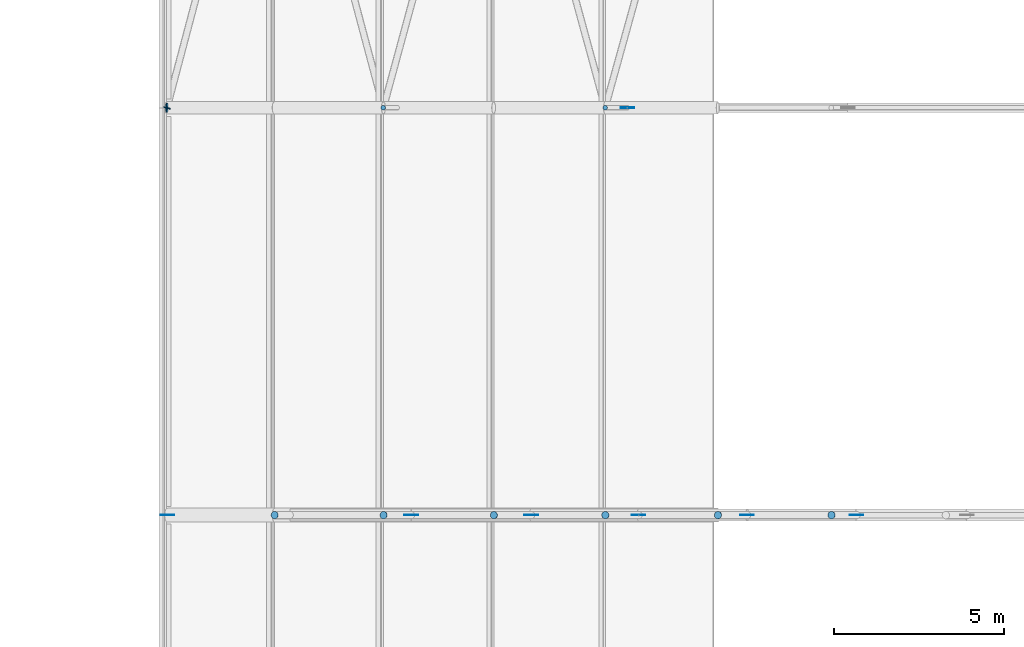
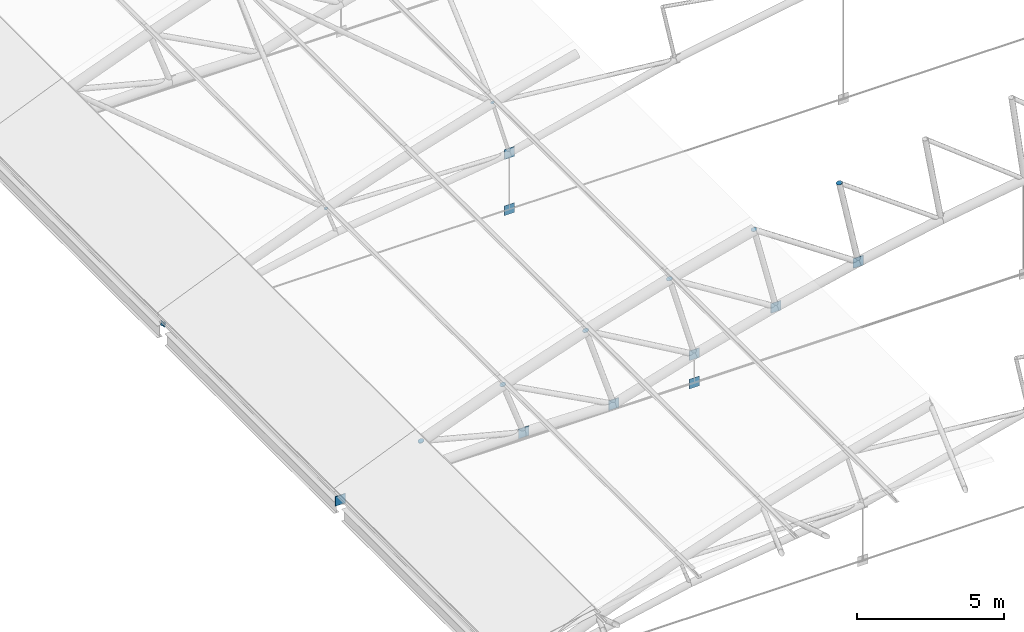
# One storey, part 265 of 321: 19 discrete accessories.
"""IFC4 building model written with IfcOpenShell, lengths in metres."""

from ifc_helpers import new_model, si_unit, direction, frame, origin, origin_2d, place, context, subcontext, project, spatial, rectangle, circle, extrude, material, material_profile, profile_set, type_object, element, save


model = new_model("IFC4")

# Units and contexts
model_context = context("Model", 3, precision=1e-05, world=origin(), true_north=direction((0.0, 1.0)))
body_context = subcontext(model_context, "Body", "Model", "MODEL_VIEW")
ifc_project = project(units=[si_unit("LENGTHUNIT", "METRE"), si_unit("AREAUNIT", "SQUARE_METRE"), si_unit("VOLUMEUNIT", "CUBIC_METRE"), si_unit("PLANEANGLEUNIT", "RADIAN"), si_unit("MASSUNIT", "GRAM", prefix="KILO")], contexts=[model_context])

# Site, building, storey
site_placement = place(None, origin())
site = spatial("IfcSite", under=ifc_project, at=site_placement, CompositionType="ELEMENT")
building_placement = place(site_placement, origin())
building = spatial("IfcBuilding", under=site, at=building_placement, Name="Ravi Spectrum Wholesale Market", CompositionType="ELEMENT")
storey_placement = place(building_placement, frame((0.0, 0.0, 10.800048828125)))
storey = spatial("IfcBuildingStorey", under=building, at=storey_placement, Name="L02", CompositionType="ELEMENT", Elevation=10.800048828125)

# Discrete accessories
ifc_material_1 = material(Name="Steel S355", Category="steel")
ifc_material_profile_1 = material_profile(ifc_material_1, circle(Radius=0.06982421875, at=origin_2d()))
ifc_profile_set_1 = profile_set([ifc_material_profile_1], Name="Steel S355")
discrete_accessory_type_1 = type_object("IfcDiscreteAccessoryType", Name="End plate CHS 139.7x5", PredefinedType="BRACKET", material=ifc_profile_set_1)
for number, where, z_axis, x_axis, name in (
    (1, (36.363037109375, 66.0, 2.56494140625), (-0.346650140872, 0.0, 0.937994498829), (0.0, -1.0, 0.0), "End plate"),
    (2, (42.896240234375, 66.0, 4.661376953125), (-0.266586054538, 0.0, 0.963811120254), (0.0, -1.0, 0.0), "End plate"),
):
    element("IfcDiscreteAccessory", number, at=place(storey_placement, frame(where, z_axis=z_axis, x_axis=x_axis)), inside=storey, type_object=discrete_accessory_type_1, Name=name, PredefinedType="BRACKET", context=body_context, shape_type="SweptSolid", body=[
        extrude(circle(Radius=0.06982421875, at=origin_2d()), origin(), (0.0, 0.0, 1.0), 0.011962890625),
    ])
ifc_material_2 = material(Name="Steel S355", Category="steel")
ifc_material_profile_2 = material_profile(ifc_material_2, circle(Radius=0.096923828125, at=origin_2d()))
ifc_profile_set_2 = profile_set([ifc_material_profile_2], Name="Steel S355")
discrete_accessory_type_2 = type_object("IfcDiscreteAccessoryType", Name="End plate CHS 193.7x6.3", PredefinedType="BRACKET", material=ifc_profile_set_2)
discrete_accessory_1_placement = place(storey_placement, frame((29.98974609375, 66.0, 0.023193359375), z_axis=(-0.246079434959, -0.963811120254, -0.102533097899), x_axis=(0.968917710624, -0.247383245266, 0.0)))
element("IfcDiscreteAccessory", 3, at=discrete_accessory_1_placement, inside=storey, type_object=discrete_accessory_type_2, Name="End plate", PredefinedType="BRACKET", context=body_context, shape_type="SweptSolid", body=[
    extrude(circle(Radius=0.096923828125, at=origin_2d()), origin(), (0.0, 0.0, 1.0), 0.011962890625),
])
ifc_material_3 = material(Name="Steel S355", Category="steel")
ifc_material_profile_3 = material_profile(ifc_material_3, circle(Radius=0.109619140625, at=origin_2d()))
ifc_profile_set_3 = profile_set([ifc_material_profile_3], Name="Steel S355")
discrete_accessory_type_3 = type_object("IfcDiscreteAccessoryType", Name="End plate CHS 219.1x8", PredefinedType="BRACKET", material=ifc_profile_set_3)
for number, where, z_axis, x_axis, name in (
    (4, (33.163818359375, 54.0, 1.325439453125), (-0.364399348581, 0.0, 0.931242779706), (0.0, -1.0, 0.0), "End plate"),
    (5, (36.37158203125, 54.0, 2.541015625), (-0.346650140872, 0.0, 0.937994498829), (0.0, -1.0, 0.0), "End plate"),
    (6, (39.619384765625, 54.0, 3.645263671875), (-0.304040173793, 0.0, 0.952659211219), (0.0, -1.0, 0.0), "End plate"),
):
    element("IfcDiscreteAccessory", number, at=place(storey_placement, frame(where, z_axis=z_axis, x_axis=x_axis)), inside=storey, type_object=discrete_accessory_type_3, Name=name, PredefinedType="BRACKET", context=body_context, shape_type="SweptSolid", body=[
        extrude(circle(Radius=0.109619140625, at=origin_2d()), origin(), (0.0, 0.0, 1.0), 0.011962890625),
    ])
discrete_accessory_2_placement = place(storey_placement, frame((42.903076171875, 54.0, 4.63671875), z_axis=(-0.261415475728, 0.0, 0.96522637192), x_axis=(0.0, -1.0, 0.0)))
element("IfcDiscreteAccessory", 7, at=discrete_accessory_2_placement, inside=storey, type_object=discrete_accessory_type_3, Name="End plate", PredefinedType="BRACKET", context=body_context, shape_type="SweptSolid", body=[
    extrude(circle(Radius=0.109619140625, at=origin_2d()), origin(), (0.0, 0.0, 1.0), 0.01220703125),
])
for number, where, z_axis, x_axis, name in (
    (8, (46.21923828125, 54.0, 5.514404296875), (-0.223376156329, 0.0, 0.974732318528), (0.0, -1.0, 0.0), "End plate"),
    (9, (49.563720703125, 54.0, 6.27734375), (-0.203954254112, 0.0, 0.978980419738), (0.0, -1.0, 0.0), "End plate"),
):
    element("IfcDiscreteAccessory", number, at=place(storey_placement, frame(where, z_axis=z_axis, x_axis=x_axis)), inside=storey, type_object=discrete_accessory_type_3, Name=name, PredefinedType="BRACKET", context=body_context, shape_type="SweptSolid", body=[
        extrude(circle(Radius=0.109619140625, at=origin_2d()), origin(), (0.0, 0.0, 1.0), 0.011962890625),
    ])
ifc_material_4 = material(Name="Steel S355", Category="steel")
ifc_material_profile_4 = material_profile(ifc_material_4, circle(Radius=0.136474609375, at=origin_2d()))
ifc_profile_set_4 = profile_set([ifc_material_profile_4], Name="Steel S355")
discrete_accessory_type_4 = type_object("IfcDiscreteAccessoryType", Name="End plate CHS 273x10", PredefinedType="BRACKET", material=ifc_profile_set_4)
discrete_accessory_3_placement = place(storey_placement, frame((29.98974609375, 66.0, 0.023193359375), z_axis=(-0.978980419738, 0.0, -0.203954254112), x_axis=(0.0, -1.0, 0.0)))
element("IfcDiscreteAccessory", 10, at=discrete_accessory_3_placement, inside=storey, type_object=discrete_accessory_type_4, Name="End plate", PredefinedType="BRACKET", context=body_context, shape_type="SweptSolid", body=[
    extrude(circle(Radius=0.136474609375, at=origin_2d()), origin(), (0.0, 0.0, 1.0), 0.011962890625),
])
ifc_material_5 = material(Name="Steel S355", Category="steel")
ifc_material_profile_5 = material_profile(ifc_material_5, rectangle(XDim=0.39990234375, YDim=0.02001953125, at=origin_2d()))
ifc_profile_set_5 = profile_set([ifc_material_profile_5], Name="Steel S355")
discrete_accessory_type_5 = type_object("IfcDiscreteAccessoryType", Name="Gusset plate 400x400x20", PredefinedType="BRACKET", material=ifc_profile_set_5)
for number, where, z_axis, x_axis, name in (
    (11, (30.0, 54.0, -0.199951171875), (0.0, 0.0, 1.0), (1.0, 0.0, 0.0), "Gusset plate"),
    (12, (37.18310546875, 54.0, 0.08251953125), (0.0, 0.0, 1.0), (1.0, 0.0, 0.0), "Gusset plate"),
):
    element("IfcDiscreteAccessory", number, at=place(storey_placement, frame(where, z_axis=z_axis, x_axis=x_axis)), inside=storey, type_object=discrete_accessory_type_5, Name=name, PredefinedType="BRACKET", context=body_context, shape_type="SweptSolid", body=[
        extrude(rectangle(XDim=0.39990234375, YDim=0.02001953125, at=origin_2d()), origin(), (0.0, 0.0, 1.0), 0.39990234375),
    ])
discrete_accessory_4_placement = place(storey_placement, frame((40.71923828125, 54.0, 0.017333984375), z_axis=(0.0, 0.0, 1.0), x_axis=(1.0, 0.0, 0.0)))
element("IfcDiscreteAccessory", 13, at=discrete_accessory_4_placement, inside=storey, type_object=discrete_accessory_type_5, Name="Gusset plate", PredefinedType="BRACKET", context=body_context, shape_type="SweptSolid", body=[
    extrude(rectangle(XDim=0.39990234375, YDim=0.02001953125, at=origin_2d()), origin(), (0.0, 0.0, 1.0), 0.400146484375),
])
for number, where, z_axis, x_axis, name in (
    (14, (43.55029296875, 66.0, -0.1767578125), (0.0, 0.0, 1.0), (1.0, 0.0, 0.0), "Gusset plate"),
    (15, (43.55029296875, 66.0, 2.152099609375), (0.0, 0.0, 1.0), (1.0, 0.0, 0.0), "Gusset plate"),
    (16, (43.88427734375, 54.0, -0.199951171875), (0.0, 0.0, 1.0), (1.0, 0.0, 0.0), "Gusset plate"),
    (17, (43.88427734375, 54.0, 0.97314453125), (0.0, 0.0, 1.0), (1.0, 0.0, 0.0), "Gusset plate"),
    (18, (47.080322265625, 54.0, 1.819091796875), (0.0, 0.0, 1.0), (1.0, 0.0, 0.0), "Gusset plate"),
    (19, (50.3037109375, 54.0, 2.55419921875), (0.0, 0.0, 1.0), (1.0, 0.0, 0.0), "Gusset plate"),
):
    element("IfcDiscreteAccessory", number, at=place(storey_placement, frame(where, z_axis=z_axis, x_axis=x_axis)), inside=storey, type_object=discrete_accessory_type_5, Name=name, PredefinedType="BRACKET", context=body_context, shape_type="SweptSolid", body=[
        extrude(rectangle(XDim=0.39990234375, YDim=0.02001953125, at=origin_2d()), origin(), (0.0, 0.0, 1.0), 0.39990234375),
    ])

save(model, "model.ifc")
